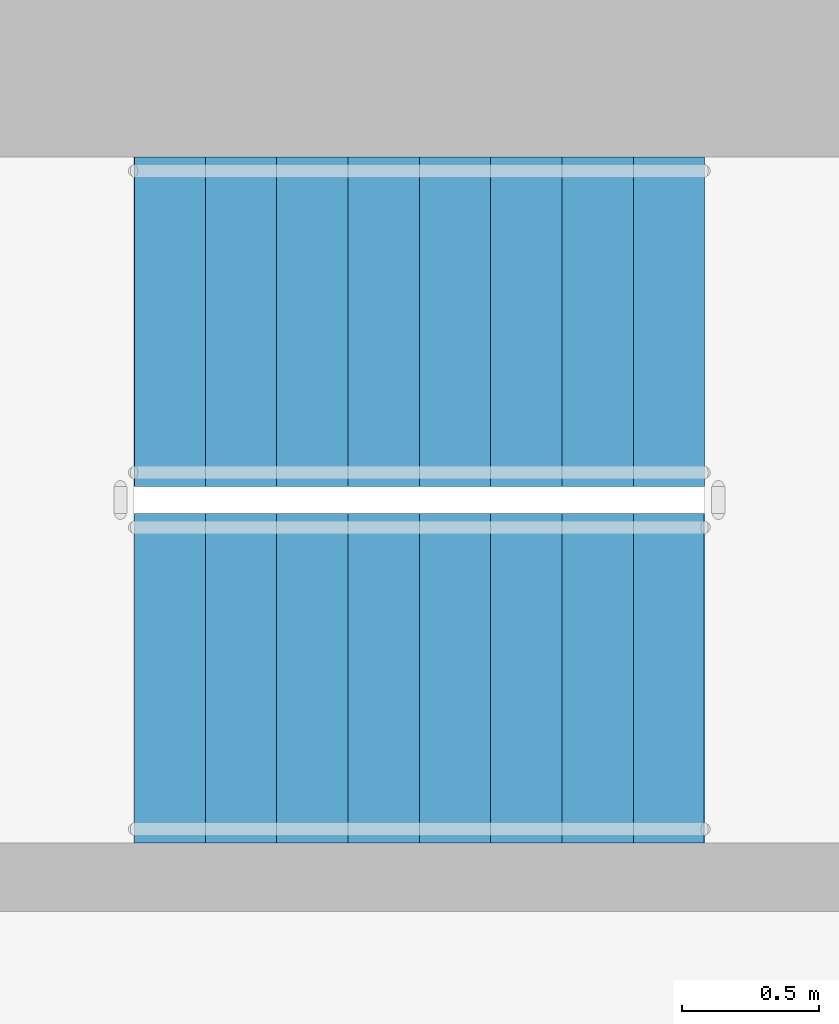
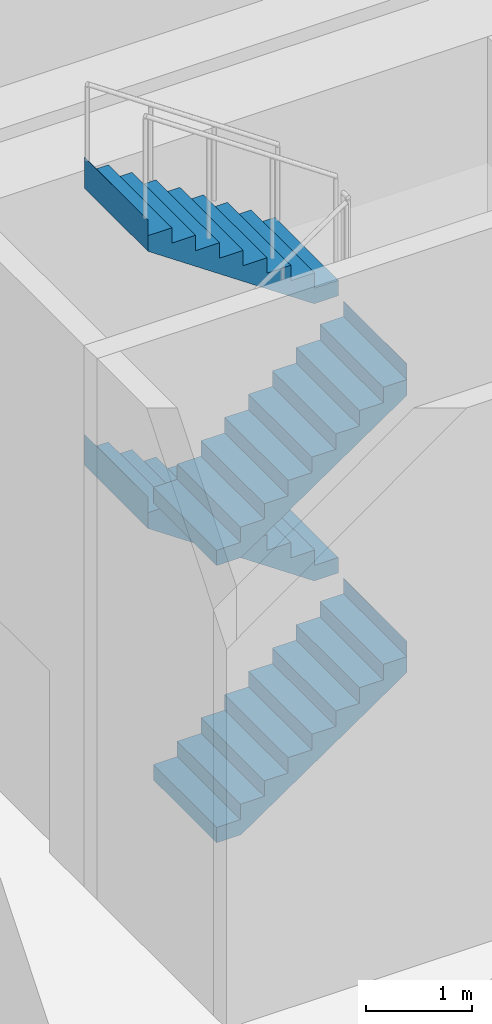
# One storey, part 13 of 27: 4 stair flights, 1 element without a shape of its own.
"""IFC4 building model written with IfcOpenShell, lengths in metres."""

from ifc_helpers import new_model, si_unit, direction, frame, origin, place, context, subcontext, project, spatial, triangles, material, type_object, element, aggregate, save


model = new_model("IFC4")

# Units and contexts
model_context = context("Model", 3, precision=1e-05, world=origin(), true_north=direction((0.0, 1.0)))
body_context = subcontext(model_context, "Body", "Model", "MODEL_VIEW")
ifc_project = project(units=[si_unit("LENGTHUNIT", "METRE"), si_unit("AREAUNIT", "SQUARE_METRE"), si_unit("VOLUMEUNIT", "CUBIC_METRE"), si_unit("PLANEANGLEUNIT", "RADIAN"), si_unit("MASSUNIT", "GRAM", prefix="KILO")], contexts=[model_context])

# Site, building, storey
site_placement = place(None, origin())
site = spatial("IfcSite", under=ifc_project, at=site_placement, CompositionType="ELEMENT")
building_placement = place(site_placement, origin())
building = spatial("IfcBuilding", under=site, at=building_placement, Name="Sahrelin Media Tower", CompositionType="ELEMENT")
storey_placement = place(building_placement, frame((0.0, 0.0, 44.0)))
storey = spatial("IfcBuildingStorey", under=building, at=storey_placement, Name="L06", CompositionType="ELEMENT", Elevation=44.0)

# Stair, stair flights
ifc_material = material(Name="Concrete C40/50", Category="concrete")
stair_type = type_object("IfcStairType", Name="Exit stair 1200", PredefinedType="HALF_TURN_STAIR", material=ifc_material)
stair_placement = place(storey_placement, origin())
stair = element("IfcStair", 1, at=stair_placement, inside=storey, type_object=stair_type, Name="L06 Exit stair ST1", PredefinedType="HALF_TURN_STAIR")
stair_flight_type = type_object("IfcStairFlightType", Name="Stair flight 1200", PredefinedType="STRAIGHT", material=ifc_material)
stair_flight_1_placement = place(storey_placement, frame((-7.675048828125, 4.699951171875, 0.0), z_axis=(0.0, 0.0, 1.0), x_axis=(1.0, 0.0, 0.0)))
stair_flight_1 = element("IfcStairFlight", 2, at=stair_flight_1_placement, type_object=stair_flight_type, Name="ST1 flight 1", NumberOfRisers=9, NumberOfTreads=8, PredefinedType="STRAIGHT", RiserHeight=0.177777778, TreadLength=0.26, context=body_context, shape_type="Tessellation", body=[
    triangles([(0.265625, 0.60009765625, 0.0), (0.265625, 0.300048828125, 0.0), (0.265625, 0.0, 0.0), (0.265625, -0.300048828125, 0.0), (0.265625, -0.60009765625, 0.0), (2.080078125, 0.60009765625, 1.24072265625), (2.080078125, 0.300048828125, 1.24072265625), (2.080078125, 0.0, 1.24072265625), (2.080078125, -0.300048828125, 1.24072265625), (2.080078125, -0.60009765625, 1.24072265625), (2.080078125, 0.60009765625, 1.60009765625), (2.080078125, 0.300048828125, 1.60009765625), (2.080078125, 0.0, 1.60009765625), (2.080078125, -0.300048828125, 1.60009765625), (2.080078125, -0.60009765625, 1.60009765625), (2.077880859375, 0.60009765625, 1.60009765625), (2.077880859375, 0.300048828125, 1.60009765625), (2.077880859375, 0.0, 1.60009765625), (2.077880859375, -0.300048828125, 1.60009765625), (2.077880859375, -0.60009765625, 1.60009765625), (2.077880859375, 0.60009765625, 1.422119140625), (2.077880859375, 0.300048828125, 1.422119140625), (2.077880859375, 0.0, 1.422119140625), (2.077880859375, -0.300048828125, 1.422119140625), (2.077880859375, -0.60009765625, 1.422119140625), (1.820068359375, 0.60009765625, 1.422119140625), (1.820068359375, 0.300048828125, 1.422119140625), (1.820068359375, 0.0, 1.422119140625), (1.820068359375, -0.300048828125, 1.422119140625), (1.820068359375, -0.60009765625, 1.422119140625), (1.820068359375, 0.60009765625, 1.244384765625), (1.820068359375, 0.300048828125, 1.244384765625), (1.820068359375, 0.0, 1.244384765625), (1.820068359375, -0.300048828125, 1.244384765625), (1.820068359375, -0.60009765625, 1.244384765625), (1.56005859375, 0.60009765625, 1.244384765625), (1.56005859375, 0.300048828125, 1.244384765625), (1.56005859375, 0.0, 1.244384765625), (1.56005859375, -0.300048828125, 1.244384765625), (1.56005859375, -0.60009765625, 1.244384765625), (1.56005859375, 0.60009765625, 1.066650390625), (1.56005859375, 0.300048828125, 1.066650390625), (1.56005859375, 0.0, 1.066650390625), (1.56005859375, -0.300048828125, 1.066650390625), (1.56005859375, -0.60009765625, 1.066650390625), (1.300048828125, 0.60009765625, 1.066650390625), (1.300048828125, 0.300048828125, 1.066650390625), (1.300048828125, 0.0, 1.066650390625), (1.300048828125, -0.300048828125, 1.066650390625), (1.300048828125, -0.60009765625, 1.066650390625), (1.300048828125, 0.60009765625, 0.888916015625), (1.300048828125, 0.300048828125, 0.888916015625), (1.300048828125, 0.0, 0.888916015625), (1.300048828125, -0.300048828125, 0.888916015625), (1.300048828125, -0.60009765625, 0.888916015625), (1.0400390625, 0.60009765625, 0.888916015625), (1.0400390625, 0.300048828125, 0.888916015625), (1.0400390625, 0.0, 0.888916015625), (1.0400390625, -0.300048828125, 0.888916015625), (1.0400390625, -0.60009765625, 0.888916015625), (1.0400390625, 0.60009765625, 0.711181640625), (1.0400390625, 0.300048828125, 0.711181640625), (1.0400390625, 0.0, 0.711181640625), (1.0400390625, -0.300048828125, 0.711181640625), (1.0400390625, -0.60009765625, 0.711181640625), (0.780029296875, 0.60009765625, 0.711181640625), (0.780029296875, 0.300048828125, 0.711181640625), (0.780029296875, 0.0, 0.711181640625), (0.780029296875, -0.300048828125, 0.711181640625), (0.780029296875, -0.60009765625, 0.711181640625), (0.780029296875, 0.60009765625, 0.533447265625), (0.780029296875, 0.300048828125, 0.533447265625), (0.780029296875, 0.0, 0.533447265625), (0.780029296875, -0.300048828125, 0.533447265625), (0.780029296875, -0.60009765625, 0.533447265625), (0.52001953125, 0.60009765625, 0.533447265625), (0.52001953125, 0.300048828125, 0.533447265625), (0.52001953125, 0.0, 0.533447265625), (0.52001953125, -0.300048828125, 0.533447265625), (0.52001953125, -0.60009765625, 0.533447265625), (0.52001953125, 0.60009765625, 0.35546875), (0.52001953125, 0.300048828125, 0.35546875), (0.52001953125, 0.0, 0.35546875), (0.52001953125, -0.300048828125, 0.35546875), (0.52001953125, -0.60009765625, 0.35546875), (0.260009765625, 0.60009765625, 0.35546875), (0.260009765625, 0.300048828125, 0.35546875), (0.260009765625, 0.0, 0.35546875), (0.260009765625, -0.300048828125, 0.35546875), (0.260009765625, -0.60009765625, 0.35546875), (0.260009765625, 0.60009765625, 0.177734375), (0.260009765625, 0.300048828125, 0.177734375), (0.260009765625, 0.0, 0.177734375), (0.260009765625, -0.300048828125, 0.177734375), (0.260009765625, -0.60009765625, 0.177734375), (0.0, 0.60009765625, 0.177734375), (0.0, 0.300048828125, 0.177734375), (0.0, 0.0, 0.177734375), (0.0, -0.300048828125, 0.177734375), (0.0, -0.60009765625, 0.177734375), (0.0, 0.60009765625, 0.0), (0.0, 0.300048828125, 0.0), (0.0, 0.0, 0.0), (0.0, -0.300048828125, 0.0), (0.0, -0.60009765625, 0.0)], [[1, 6, 7], [1, 7, 2], [2, 7, 8], [2, 8, 3], [3, 8, 9], [3, 9, 4], [4, 9, 10], [4, 10, 5], [6, 11, 12], [6, 12, 7], [7, 12, 13], [7, 13, 8], [8, 13, 14], [8, 14, 9], [9, 14, 15], [9, 15, 10], [11, 16, 17], [11, 17, 12], [12, 17, 18], [12, 18, 13], [13, 18, 19], [13, 19, 14], [14, 19, 20], [14, 20, 15], [16, 21, 22], [16, 22, 17], [17, 22, 23], [17, 23, 18], [18, 23, 24], [18, 24, 19], [19, 24, 25], [19, 25, 20], [21, 26, 27], [21, 27, 22], [22, 27, 28], [22, 28, 23], [23, 28, 29], [23, 29, 24], [24, 29, 30], [24, 30, 25], [26, 31, 32], [26, 32, 27], [27, 32, 33], [27, 33, 28], [28, 33, 34], [28, 34, 29], [29, 34, 35], [29, 35, 30], [31, 36, 37], [31, 37, 32], [32, 37, 38], [32, 38, 33], [33, 38, 39], [33, 39, 34], [34, 39, 40], [34, 40, 35], [36, 41, 42], [36, 42, 37], [37, 42, 43], [37, 43, 38], [38, 43, 44], [38, 44, 39], [39, 44, 45], [39, 45, 40], [41, 46, 47], [41, 47, 42], [42, 47, 48], [42, 48, 43], [43, 48, 49], [43, 49, 44], [44, 49, 50], [44, 50, 45], [46, 51, 52], [46, 52, 47], [47, 52, 53], [47, 53, 48], [48, 53, 54], [48, 54, 49], [49, 54, 55], [49, 55, 50], [51, 56, 57], [51, 57, 52], [52, 57, 58], [52, 58, 53], [53, 58, 59], [53, 59, 54], [54, 59, 60], [54, 60, 55], [56, 61, 62], [56, 62, 57], [57, 62, 63], [57, 63, 58], [58, 63, 64], [58, 64, 59], [59, 64, 65], [59, 65, 60], [61, 66, 67], [61, 67, 62], [62, 67, 68], [62, 68, 63], [63, 68, 69], [63, 69, 64], [64, 69, 70], [64, 70, 65], [66, 71, 72], [66, 72, 67], [67, 72, 73], [67, 73, 68], [68, 73, 74], [68, 74, 69], [69, 74, 75], [69, 75, 70], [71, 76, 77], [71, 77, 72], [72, 77, 78], [72, 78, 73], [73, 78, 79], [73, 79, 74], [74, 79, 80], [74, 80, 75], [76, 81, 82], [76, 82, 77], [77, 82, 83], [77, 83, 78], [78, 83, 84], [78, 84, 79], [79, 84, 85], [79, 85, 80], [81, 86, 87], [81, 87, 82], [82, 87, 88], [82, 88, 83], [83, 88, 89], [83, 89, 84], [84, 89, 90], [84, 90, 85], [86, 91, 92], [86, 92, 87], [87, 92, 93], [87, 93, 88], [88, 93, 94], [88, 94, 89], [89, 94, 95], [89, 95, 90], [91, 96, 97], [91, 97, 92], [92, 97, 98], [92, 98, 93], [93, 98, 99], [93, 99, 94], [94, 99, 100], [94, 100, 95], [96, 101, 102], [96, 102, 97], [97, 102, 103], [97, 103, 98], [98, 103, 104], [98, 104, 99], [99, 104, 105], [99, 105, 100], [101, 1, 2], [101, 2, 102], [102, 2, 3], [102, 3, 103], [103, 3, 4], [103, 4, 104], [104, 4, 5], [104, 5, 105], [95, 100, 105], [91, 101, 96], [95, 85, 90], [91, 86, 81], [85, 75, 80], [81, 76, 71], [75, 65, 70], [71, 66, 61], [65, 55, 60], [61, 56, 51], [55, 45, 50], [51, 46, 41], [45, 35, 40], [41, 36, 31], [35, 25, 30], [31, 26, 21], [25, 15, 20], [21, 16, 11], [105, 5, 95], [101, 91, 1], [65, 75, 5], [61, 1, 71], [10, 45, 55], [6, 51, 41], [25, 10, 15], [21, 11, 6], [85, 95, 5], [81, 1, 91], [55, 65, 10], [51, 6, 61], [35, 10, 25], [31, 21, 6], [75, 85, 5], [71, 1, 81], [45, 10, 35], [41, 31, 6], [5, 10, 65], [1, 61, 6]], closed=True),
])
stair_flight_2_placement = place(storey_placement, frame((-5.594970703125, 6.0, 1.60009765625), z_axis=(0.0, 0.0, 1.0), x_axis=(-1.0, 0.0, 0.0)))
stair_flight_2 = element("IfcStairFlight", 3, at=stair_flight_2_placement, type_object=stair_flight_type, Name="ST1 flight 2", NumberOfRisers=9, NumberOfTreads=8, PredefinedType="STRAIGHT", RiserHeight=0.177777778, TreadLength=0.26, context=body_context, shape_type="Tessellation", body=[
    triangles([(0.265625, 0.60009765625, 0.0), (0.265625, 0.300048828125, 0.0), (0.265625, 0.0, 0.0), (0.265625, -0.300048828125, 0.0), (0.265625, -0.60009765625, 0.0), (2.080078125, 0.60009765625, 1.24072265625), (2.080078125, 0.300048828125, 1.24072265625), (2.080078125, 0.0, 1.24072265625), (2.080078125, -0.300048828125, 1.24072265625), (2.080078125, -0.60009765625, 1.24072265625), (2.080078125, 0.60009765625, 1.60009765625), (2.080078125, 0.300048828125, 1.60009765625), (2.080078125, 0.0, 1.60009765625), (2.080078125, -0.300048828125, 1.60009765625), (2.080078125, -0.60009765625, 1.60009765625), (2.077880859375, 0.60009765625, 1.60009765625), (2.077880859375, 0.300048828125, 1.60009765625), (2.077880859375, 0.0, 1.60009765625), (2.077880859375, -0.300048828125, 1.60009765625), (2.077880859375, -0.60009765625, 1.60009765625), (2.077880859375, 0.60009765625, 1.422119140625), (2.077880859375, 0.300048828125, 1.422119140625), (2.077880859375, 0.0, 1.422119140625), (2.077880859375, -0.300048828125, 1.422119140625), (2.077880859375, -0.60009765625, 1.422119140625), (1.820068359375, 0.60009765625, 1.422119140625), (1.820068359375, 0.300048828125, 1.422119140625), (1.820068359375, 0.0, 1.422119140625), (1.820068359375, -0.300048828125, 1.422119140625), (1.820068359375, -0.60009765625, 1.422119140625), (1.820068359375, 0.60009765625, 1.244384765625), (1.820068359375, 0.300048828125, 1.244384765625), (1.820068359375, 0.0, 1.244384765625), (1.820068359375, -0.300048828125, 1.244384765625), (1.820068359375, -0.60009765625, 1.244384765625), (1.56005859375, 0.60009765625, 1.244384765625), (1.56005859375, 0.300048828125, 1.244384765625), (1.56005859375, 0.0, 1.244384765625), (1.56005859375, -0.300048828125, 1.244384765625), (1.56005859375, -0.60009765625, 1.244384765625), (1.56005859375, 0.60009765625, 1.066650390625), (1.56005859375, 0.300048828125, 1.066650390625), (1.56005859375, 0.0, 1.066650390625), (1.56005859375, -0.300048828125, 1.066650390625), (1.56005859375, -0.60009765625, 1.066650390625), (1.300048828125, 0.60009765625, 1.066650390625), (1.300048828125, 0.300048828125, 1.066650390625), (1.300048828125, 0.0, 1.066650390625), (1.300048828125, -0.300048828125, 1.066650390625), (1.300048828125, -0.60009765625, 1.066650390625), (1.300048828125, 0.60009765625, 0.888916015625), (1.300048828125, 0.300048828125, 0.888916015625), (1.300048828125, 0.0, 0.888916015625), (1.300048828125, -0.300048828125, 0.888916015625), (1.300048828125, -0.60009765625, 0.888916015625), (1.0400390625, 0.60009765625, 0.888916015625), (1.0400390625, 0.300048828125, 0.888916015625), (1.0400390625, 0.0, 0.888916015625), (1.0400390625, -0.300048828125, 0.888916015625), (1.0400390625, -0.60009765625, 0.888916015625), (1.0400390625, 0.60009765625, 0.711181640625), (1.0400390625, 0.300048828125, 0.711181640625), (1.0400390625, 0.0, 0.711181640625), (1.0400390625, -0.300048828125, 0.711181640625), (1.0400390625, -0.60009765625, 0.711181640625), (0.780029296875, 0.60009765625, 0.711181640625), (0.780029296875, 0.300048828125, 0.711181640625), (0.780029296875, 0.0, 0.711181640625), (0.780029296875, -0.300048828125, 0.711181640625), (0.780029296875, -0.60009765625, 0.711181640625), (0.780029296875, 0.60009765625, 0.533447265625), (0.780029296875, 0.300048828125, 0.533447265625), (0.780029296875, 0.0, 0.533447265625), (0.780029296875, -0.300048828125, 0.533447265625), (0.780029296875, -0.60009765625, 0.533447265625), (0.52001953125, 0.60009765625, 0.533447265625), (0.52001953125, 0.300048828125, 0.533447265625), (0.52001953125, 0.0, 0.533447265625), (0.52001953125, -0.300048828125, 0.533447265625), (0.52001953125, -0.60009765625, 0.533447265625), (0.52001953125, 0.60009765625, 0.35546875), (0.52001953125, 0.300048828125, 0.35546875), (0.52001953125, 0.0, 0.35546875), (0.52001953125, -0.300048828125, 0.35546875), (0.52001953125, -0.60009765625, 0.35546875), (0.260009765625, 0.60009765625, 0.35546875), (0.260009765625, 0.300048828125, 0.35546875), (0.260009765625, 0.0, 0.35546875), (0.260009765625, -0.300048828125, 0.35546875), (0.260009765625, -0.60009765625, 0.35546875), (0.260009765625, 0.60009765625, 0.177734375), (0.260009765625, 0.300048828125, 0.177734375), (0.260009765625, 0.0, 0.177734375), (0.260009765625, -0.300048828125, 0.177734375), (0.260009765625, -0.60009765625, 0.177734375), (0.0, 0.60009765625, 0.177734375), (0.0, 0.300048828125, 0.177734375), (0.0, 0.0, 0.177734375), (0.0, -0.300048828125, 0.177734375), (0.0, -0.60009765625, 0.177734375), (0.0, 0.60009765625, 0.0), (0.0, 0.300048828125, 0.0), (0.0, 0.0, 0.0), (0.0, -0.300048828125, 0.0), (0.0, -0.60009765625, 0.0)], [[1, 6, 7], [1, 7, 2], [2, 7, 8], [2, 8, 3], [3, 8, 9], [3, 9, 4], [4, 9, 10], [4, 10, 5], [6, 11, 12], [6, 12, 7], [7, 12, 13], [7, 13, 8], [8, 13, 14], [8, 14, 9], [9, 14, 15], [9, 15, 10], [11, 16, 17], [11, 17, 12], [12, 17, 18], [12, 18, 13], [13, 18, 19], [13, 19, 14], [14, 19, 20], [14, 20, 15], [16, 21, 22], [16, 22, 17], [17, 22, 23], [17, 23, 18], [18, 23, 24], [18, 24, 19], [19, 24, 25], [19, 25, 20], [21, 26, 27], [21, 27, 22], [22, 27, 28], [22, 28, 23], [23, 28, 29], [23, 29, 24], [24, 29, 30], [24, 30, 25], [26, 31, 32], [26, 32, 27], [27, 32, 33], [27, 33, 28], [28, 33, 34], [28, 34, 29], [29, 34, 35], [29, 35, 30], [31, 36, 37], [31, 37, 32], [32, 37, 38], [32, 38, 33], [33, 38, 39], [33, 39, 34], [34, 39, 40], [34, 40, 35], [36, 41, 42], [36, 42, 37], [37, 42, 43], [37, 43, 38], [38, 43, 44], [38, 44, 39], [39, 44, 45], [39, 45, 40], [41, 46, 47], [41, 47, 42], [42, 47, 48], [42, 48, 43], [43, 48, 49], [43, 49, 44], [44, 49, 50], [44, 50, 45], [46, 51, 52], [46, 52, 47], [47, 52, 53], [47, 53, 48], [48, 53, 54], [48, 54, 49], [49, 54, 55], [49, 55, 50], [51, 56, 57], [51, 57, 52], [52, 57, 58], [52, 58, 53], [53, 58, 59], [53, 59, 54], [54, 59, 60], [54, 60, 55], [56, 61, 62], [56, 62, 57], [57, 62, 63], [57, 63, 58], [58, 63, 64], [58, 64, 59], [59, 64, 65], [59, 65, 60], [61, 66, 67], [61, 67, 62], [62, 67, 68], [62, 68, 63], [63, 68, 69], [63, 69, 64], [64, 69, 70], [64, 70, 65], [66, 71, 72], [66, 72, 67], [67, 72, 73], [67, 73, 68], [68, 73, 74], [68, 74, 69], [69, 74, 75], [69, 75, 70], [71, 76, 77], [71, 77, 72], [72, 77, 78], [72, 78, 73], [73, 78, 79], [73, 79, 74], [74, 79, 80], [74, 80, 75], [76, 81, 82], [76, 82, 77], [77, 82, 83], [77, 83, 78], [78, 83, 84], [78, 84, 79], [79, 84, 85], [79, 85, 80], [81, 86, 87], [81, 87, 82], [82, 87, 88], [82, 88, 83], [83, 88, 89], [83, 89, 84], [84, 89, 90], [84, 90, 85], [86, 91, 92], [86, 92, 87], [87, 92, 93], [87, 93, 88], [88, 93, 94], [88, 94, 89], [89, 94, 95], [89, 95, 90], [91, 96, 97], [91, 97, 92], [92, 97, 98], [92, 98, 93], [93, 98, 99], [93, 99, 94], [94, 99, 100], [94, 100, 95], [96, 101, 102], [96, 102, 97], [97, 102, 103], [97, 103, 98], [98, 103, 104], [98, 104, 99], [99, 104, 105], [99, 105, 100], [101, 1, 2], [101, 2, 102], [102, 2, 3], [102, 3, 103], [103, 3, 4], [103, 4, 104], [104, 4, 5], [104, 5, 105], [95, 100, 105], [91, 101, 96], [95, 85, 90], [91, 86, 81], [85, 75, 80], [81, 76, 71], [75, 65, 70], [71, 66, 61], [65, 55, 60], [61, 56, 51], [55, 45, 50], [51, 46, 41], [45, 35, 40], [41, 36, 31], [35, 25, 30], [31, 26, 21], [25, 15, 20], [21, 16, 11], [105, 5, 95], [101, 91, 1], [65, 75, 5], [61, 1, 71], [10, 45, 55], [6, 51, 41], [25, 10, 15], [21, 11, 6], [85, 95, 5], [81, 1, 91], [55, 65, 10], [51, 6, 61], [35, 10, 25], [31, 21, 6], [75, 85, 5], [71, 1, 81], [45, 10, 35], [41, 31, 6], [5, 10, 65], [1, 61, 6]], closed=True),
])
stair_flight_3_placement = place(storey_placement, frame((-7.675048828125, 4.699951171875, 3.199951171875), z_axis=(0.0, 0.0, 1.0), x_axis=(1.0, 0.0, 0.0)))
stair_flight_3 = element("IfcStairFlight", 4, at=stair_flight_3_placement, type_object=stair_flight_type, Name="ST1 flight 3", NumberOfRisers=9, NumberOfTreads=8, PredefinedType="STRAIGHT", RiserHeight=0.177777778, TreadLength=0.26, context=body_context, shape_type="Tessellation", body=[
    triangles([(0.265625, 0.60009765625, 0.0), (0.265625, 0.300048828125, 0.0), (0.265625, 0.0, 0.0), (0.265625, -0.300048828125, 0.0), (0.265625, -0.60009765625, 0.0), (2.080078125, 0.60009765625, 1.24072265625), (2.080078125, 0.300048828125, 1.24072265625), (2.080078125, 0.0, 1.24072265625), (2.080078125, -0.300048828125, 1.24072265625), (2.080078125, -0.60009765625, 1.24072265625), (2.080078125, 0.60009765625, 1.60009765625), (2.080078125, 0.300048828125, 1.60009765625), (2.080078125, 0.0, 1.60009765625), (2.080078125, -0.300048828125, 1.60009765625), (2.080078125, -0.60009765625, 1.60009765625), (2.077880859375, 0.60009765625, 1.60009765625), (2.077880859375, 0.300048828125, 1.60009765625), (2.077880859375, 0.0, 1.60009765625), (2.077880859375, -0.300048828125, 1.60009765625), (2.077880859375, -0.60009765625, 1.60009765625), (2.077880859375, 0.60009765625, 1.422119140625), (2.077880859375, 0.300048828125, 1.422119140625), (2.077880859375, 0.0, 1.422119140625), (2.077880859375, -0.300048828125, 1.422119140625), (2.077880859375, -0.60009765625, 1.422119140625), (1.820068359375, 0.60009765625, 1.422119140625), (1.820068359375, 0.300048828125, 1.422119140625), (1.820068359375, 0.0, 1.422119140625), (1.820068359375, -0.300048828125, 1.422119140625), (1.820068359375, -0.60009765625, 1.422119140625), (1.820068359375, 0.60009765625, 1.244384765625), (1.820068359375, 0.300048828125, 1.244384765625), (1.820068359375, 0.0, 1.244384765625), (1.820068359375, -0.300048828125, 1.244384765625), (1.820068359375, -0.60009765625, 1.244384765625), (1.56005859375, 0.60009765625, 1.244384765625), (1.56005859375, 0.300048828125, 1.244384765625), (1.56005859375, 0.0, 1.244384765625), (1.56005859375, -0.300048828125, 1.244384765625), (1.56005859375, -0.60009765625, 1.244384765625), (1.56005859375, 0.60009765625, 1.066650390625), (1.56005859375, 0.300048828125, 1.066650390625), (1.56005859375, 0.0, 1.066650390625), (1.56005859375, -0.300048828125, 1.066650390625), (1.56005859375, -0.60009765625, 1.066650390625), (1.300048828125, 0.60009765625, 1.066650390625), (1.300048828125, 0.300048828125, 1.066650390625), (1.300048828125, 0.0, 1.066650390625), (1.300048828125, -0.300048828125, 1.066650390625), (1.300048828125, -0.60009765625, 1.066650390625), (1.300048828125, 0.60009765625, 0.888916015625), (1.300048828125, 0.300048828125, 0.888916015625), (1.300048828125, 0.0, 0.888916015625), (1.300048828125, -0.300048828125, 0.888916015625), (1.300048828125, -0.60009765625, 0.888916015625), (1.0400390625, 0.60009765625, 0.888916015625), (1.0400390625, 0.300048828125, 0.888916015625), (1.0400390625, 0.0, 0.888916015625), (1.0400390625, -0.300048828125, 0.888916015625), (1.0400390625, -0.60009765625, 0.888916015625), (1.0400390625, 0.60009765625, 0.711181640625), (1.0400390625, 0.300048828125, 0.711181640625), (1.0400390625, 0.0, 0.711181640625), (1.0400390625, -0.300048828125, 0.711181640625), (1.0400390625, -0.60009765625, 0.711181640625), (0.780029296875, 0.60009765625, 0.711181640625), (0.780029296875, 0.300048828125, 0.711181640625), (0.780029296875, 0.0, 0.711181640625), (0.780029296875, -0.300048828125, 0.711181640625), (0.780029296875, -0.60009765625, 0.711181640625), (0.780029296875, 0.60009765625, 0.533447265625), (0.780029296875, 0.300048828125, 0.533447265625), (0.780029296875, 0.0, 0.533447265625), (0.780029296875, -0.300048828125, 0.533447265625), (0.780029296875, -0.60009765625, 0.533447265625), (0.52001953125, 0.60009765625, 0.533447265625), (0.52001953125, 0.300048828125, 0.533447265625), (0.52001953125, 0.0, 0.533447265625), (0.52001953125, -0.300048828125, 0.533447265625), (0.52001953125, -0.60009765625, 0.533447265625), (0.52001953125, 0.60009765625, 0.35546875), (0.52001953125, 0.300048828125, 0.35546875), (0.52001953125, 0.0, 0.35546875), (0.52001953125, -0.300048828125, 0.35546875), (0.52001953125, -0.60009765625, 0.35546875), (0.260009765625, 0.60009765625, 0.35546875), (0.260009765625, 0.300048828125, 0.35546875), (0.260009765625, 0.0, 0.35546875), (0.260009765625, -0.300048828125, 0.35546875), (0.260009765625, -0.60009765625, 0.35546875), (0.260009765625, 0.60009765625, 0.177734375), (0.260009765625, 0.300048828125, 0.177734375), (0.260009765625, 0.0, 0.177734375), (0.260009765625, -0.300048828125, 0.177734375), (0.260009765625, -0.60009765625, 0.177734375), (0.0, 0.60009765625, 0.177734375), (0.0, 0.300048828125, 0.177734375), (0.0, 0.0, 0.177734375), (0.0, -0.300048828125, 0.177734375), (0.0, -0.60009765625, 0.177734375), (0.0, 0.60009765625, 0.0), (0.0, 0.300048828125, 0.0), (0.0, 0.0, 0.0), (0.0, -0.300048828125, 0.0), (0.0, -0.60009765625, 0.0)], [[1, 6, 7], [1, 7, 2], [2, 7, 8], [2, 8, 3], [3, 8, 9], [3, 9, 4], [4, 9, 10], [4, 10, 5], [6, 11, 12], [6, 12, 7], [7, 12, 13], [7, 13, 8], [8, 13, 14], [8, 14, 9], [9, 14, 15], [9, 15, 10], [11, 16, 17], [11, 17, 12], [12, 17, 18], [12, 18, 13], [13, 18, 19], [13, 19, 14], [14, 19, 20], [14, 20, 15], [16, 21, 22], [16, 22, 17], [17, 22, 23], [17, 23, 18], [18, 23, 24], [18, 24, 19], [19, 24, 25], [19, 25, 20], [21, 26, 27], [21, 27, 22], [22, 27, 28], [22, 28, 23], [23, 28, 29], [23, 29, 24], [24, 29, 30], [24, 30, 25], [26, 31, 32], [26, 32, 27], [27, 32, 33], [27, 33, 28], [28, 33, 34], [28, 34, 29], [29, 34, 35], [29, 35, 30], [31, 36, 37], [31, 37, 32], [32, 37, 38], [32, 38, 33], [33, 38, 39], [33, 39, 34], [34, 39, 40], [34, 40, 35], [36, 41, 42], [36, 42, 37], [37, 42, 43], [37, 43, 38], [38, 43, 44], [38, 44, 39], [39, 44, 45], [39, 45, 40], [41, 46, 47], [41, 47, 42], [42, 47, 48], [42, 48, 43], [43, 48, 49], [43, 49, 44], [44, 49, 50], [44, 50, 45], [46, 51, 52], [46, 52, 47], [47, 52, 53], [47, 53, 48], [48, 53, 54], [48, 54, 49], [49, 54, 55], [49, 55, 50], [51, 56, 57], [51, 57, 52], [52, 57, 58], [52, 58, 53], [53, 58, 59], [53, 59, 54], [54, 59, 60], [54, 60, 55], [56, 61, 62], [56, 62, 57], [57, 62, 63], [57, 63, 58], [58, 63, 64], [58, 64, 59], [59, 64, 65], [59, 65, 60], [61, 66, 67], [61, 67, 62], [62, 67, 68], [62, 68, 63], [63, 68, 69], [63, 69, 64], [64, 69, 70], [64, 70, 65], [66, 71, 72], [66, 72, 67], [67, 72, 73], [67, 73, 68], [68, 73, 74], [68, 74, 69], [69, 74, 75], [69, 75, 70], [71, 76, 77], [71, 77, 72], [72, 77, 78], [72, 78, 73], [73, 78, 79], [73, 79, 74], [74, 79, 80], [74, 80, 75], [76, 81, 82], [76, 82, 77], [77, 82, 83], [77, 83, 78], [78, 83, 84], [78, 84, 79], [79, 84, 85], [79, 85, 80], [81, 86, 87], [81, 87, 82], [82, 87, 88], [82, 88, 83], [83, 88, 89], [83, 89, 84], [84, 89, 90], [84, 90, 85], [86, 91, 92], [86, 92, 87], [87, 92, 93], [87, 93, 88], [88, 93, 94], [88, 94, 89], [89, 94, 95], [89, 95, 90], [91, 96, 97], [91, 97, 92], [92, 97, 98], [92, 98, 93], [93, 98, 99], [93, 99, 94], [94, 99, 100], [94, 100, 95], [96, 101, 102], [96, 102, 97], [97, 102, 103], [97, 103, 98], [98, 103, 104], [98, 104, 99], [99, 104, 105], [99, 105, 100], [101, 1, 2], [101, 2, 102], [102, 2, 3], [102, 3, 103], [103, 3, 4], [103, 4, 104], [104, 4, 5], [104, 5, 105], [95, 100, 105], [91, 101, 96], [95, 85, 90], [91, 86, 81], [85, 75, 80], [81, 76, 71], [75, 65, 70], [71, 66, 61], [65, 55, 60], [61, 56, 51], [55, 45, 50], [51, 46, 41], [45, 35, 40], [41, 36, 31], [35, 25, 30], [31, 26, 21], [25, 15, 20], [21, 16, 11], [105, 5, 95], [101, 91, 1], [65, 75, 5], [61, 1, 71], [10, 45, 55], [6, 51, 41], [25, 10, 15], [21, 11, 6], [85, 95, 5], [81, 1, 91], [55, 65, 10], [51, 6, 61], [35, 10, 25], [31, 21, 6], [75, 85, 5], [71, 1, 81], [45, 10, 35], [41, 31, 6], [5, 10, 65], [1, 61, 6]], closed=True),
])
stair_flight_4_placement = place(storey_placement, frame((-5.594970703125, 6.0, 4.800048828125), z_axis=(0.0, 0.0, 1.0), x_axis=(-1.0, 0.0, 0.0)))
stair_flight_4 = element("IfcStairFlight", 5, at=stair_flight_4_placement, type_object=stair_flight_type, Name="ST1 flight 4", NumberOfRisers=9, NumberOfTreads=8, PredefinedType="STRAIGHT", RiserHeight=0.177777778, TreadLength=0.26, context=body_context, shape_type="Tessellation", body=[
    triangles([(0.265625, 0.60009765625, 0.0), (0.265625, 0.300048828125, 0.0), (0.265625, 0.0, 0.0), (0.265625, -0.300048828125, 0.0), (0.265625, -0.60009765625, 0.0), (2.080078125, 0.60009765625, 1.24072265625), (2.080078125, 0.300048828125, 1.24072265625), (2.080078125, 0.0, 1.24072265625), (2.080078125, -0.300048828125, 1.24072265625), (2.080078125, -0.60009765625, 1.24072265625), (2.080078125, 0.60009765625, 1.60009765625), (2.080078125, 0.300048828125, 1.60009765625), (2.080078125, 0.0, 1.60009765625), (2.080078125, -0.300048828125, 1.60009765625), (2.080078125, -0.60009765625, 1.60009765625), (2.077880859375, 0.60009765625, 1.60009765625), (2.077880859375, 0.300048828125, 1.60009765625), (2.077880859375, 0.0, 1.60009765625), (2.077880859375, -0.300048828125, 1.60009765625), (2.077880859375, -0.60009765625, 1.60009765625), (2.077880859375, 0.60009765625, 1.422119140625), (2.077880859375, 0.300048828125, 1.422119140625), (2.077880859375, 0.0, 1.422119140625), (2.077880859375, -0.300048828125, 1.422119140625), (2.077880859375, -0.60009765625, 1.422119140625), (1.820068359375, 0.60009765625, 1.422119140625), (1.820068359375, 0.300048828125, 1.422119140625), (1.820068359375, 0.0, 1.422119140625), (1.820068359375, -0.300048828125, 1.422119140625), (1.820068359375, -0.60009765625, 1.422119140625), (1.820068359375, 0.60009765625, 1.244384765625), (1.820068359375, 0.300048828125, 1.244384765625), (1.820068359375, 0.0, 1.244384765625), (1.820068359375, -0.300048828125, 1.244384765625), (1.820068359375, -0.60009765625, 1.244384765625), (1.56005859375, 0.60009765625, 1.244384765625), (1.56005859375, 0.300048828125, 1.244384765625), (1.56005859375, 0.0, 1.244384765625), (1.56005859375, -0.300048828125, 1.244384765625), (1.56005859375, -0.60009765625, 1.244384765625), (1.56005859375, 0.60009765625, 1.066650390625), (1.56005859375, 0.300048828125, 1.066650390625), (1.56005859375, 0.0, 1.066650390625), (1.56005859375, -0.300048828125, 1.066650390625), (1.56005859375, -0.60009765625, 1.066650390625), (1.300048828125, 0.60009765625, 1.066650390625), (1.300048828125, 0.300048828125, 1.066650390625), (1.300048828125, 0.0, 1.066650390625), (1.300048828125, -0.300048828125, 1.066650390625), (1.300048828125, -0.60009765625, 1.066650390625), (1.300048828125, 0.60009765625, 0.888916015625), (1.300048828125, 0.300048828125, 0.888916015625), (1.300048828125, 0.0, 0.888916015625), (1.300048828125, -0.300048828125, 0.888916015625), (1.300048828125, -0.60009765625, 0.888916015625), (1.0400390625, 0.60009765625, 0.888916015625), (1.0400390625, 0.300048828125, 0.888916015625), (1.0400390625, 0.0, 0.888916015625), (1.0400390625, -0.300048828125, 0.888916015625), (1.0400390625, -0.60009765625, 0.888916015625), (1.0400390625, 0.60009765625, 0.711181640625), (1.0400390625, 0.300048828125, 0.711181640625), (1.0400390625, 0.0, 0.711181640625), (1.0400390625, -0.300048828125, 0.711181640625), (1.0400390625, -0.60009765625, 0.711181640625), (0.780029296875, 0.60009765625, 0.711181640625), (0.780029296875, 0.300048828125, 0.711181640625), (0.780029296875, 0.0, 0.711181640625), (0.780029296875, -0.300048828125, 0.711181640625), (0.780029296875, -0.60009765625, 0.711181640625), (0.780029296875, 0.60009765625, 0.533447265625), (0.780029296875, 0.300048828125, 0.533447265625), (0.780029296875, 0.0, 0.533447265625), (0.780029296875, -0.300048828125, 0.533447265625), (0.780029296875, -0.60009765625, 0.533447265625), (0.52001953125, 0.60009765625, 0.533447265625), (0.52001953125, 0.300048828125, 0.533447265625), (0.52001953125, 0.0, 0.533447265625), (0.52001953125, -0.300048828125, 0.533447265625), (0.52001953125, -0.60009765625, 0.533447265625), (0.52001953125, 0.60009765625, 0.35546875), (0.52001953125, 0.300048828125, 0.35546875), (0.52001953125, 0.0, 0.35546875), (0.52001953125, -0.300048828125, 0.35546875), (0.52001953125, -0.60009765625, 0.35546875), (0.260009765625, 0.60009765625, 0.35546875), (0.260009765625, 0.300048828125, 0.35546875), (0.260009765625, 0.0, 0.35546875), (0.260009765625, -0.300048828125, 0.35546875), (0.260009765625, -0.60009765625, 0.35546875), (0.260009765625, 0.60009765625, 0.177734375), (0.260009765625, 0.300048828125, 0.177734375), (0.260009765625, 0.0, 0.177734375), (0.260009765625, -0.300048828125, 0.177734375), (0.260009765625, -0.60009765625, 0.177734375), (0.0, 0.60009765625, 0.177734375), (0.0, 0.300048828125, 0.177734375), (0.0, 0.0, 0.177734375), (0.0, -0.300048828125, 0.177734375), (0.0, -0.60009765625, 0.177734375), (0.0, 0.60009765625, 0.0), (0.0, 0.300048828125, 0.0), (0.0, 0.0, 0.0), (0.0, -0.300048828125, 0.0), (0.0, -0.60009765625, 0.0)], [[1, 6, 7], [1, 7, 2], [2, 7, 8], [2, 8, 3], [3, 8, 9], [3, 9, 4], [4, 9, 10], [4, 10, 5], [6, 11, 12], [6, 12, 7], [7, 12, 13], [7, 13, 8], [8, 13, 14], [8, 14, 9], [9, 14, 15], [9, 15, 10], [11, 16, 17], [11, 17, 12], [12, 17, 18], [12, 18, 13], [13, 18, 19], [13, 19, 14], [14, 19, 20], [14, 20, 15], [16, 21, 22], [16, 22, 17], [17, 22, 23], [17, 23, 18], [18, 23, 24], [18, 24, 19], [19, 24, 25], [19, 25, 20], [21, 26, 27], [21, 27, 22], [22, 27, 28], [22, 28, 23], [23, 28, 29], [23, 29, 24], [24, 29, 30], [24, 30, 25], [26, 31, 32], [26, 32, 27], [27, 32, 33], [27, 33, 28], [28, 33, 34], [28, 34, 29], [29, 34, 35], [29, 35, 30], [31, 36, 37], [31, 37, 32], [32, 37, 38], [32, 38, 33], [33, 38, 39], [33, 39, 34], [34, 39, 40], [34, 40, 35], [36, 41, 42], [36, 42, 37], [37, 42, 43], [37, 43, 38], [38, 43, 44], [38, 44, 39], [39, 44, 45], [39, 45, 40], [41, 46, 47], [41, 47, 42], [42, 47, 48], [42, 48, 43], [43, 48, 49], [43, 49, 44], [44, 49, 50], [44, 50, 45], [46, 51, 52], [46, 52, 47], [47, 52, 53], [47, 53, 48], [48, 53, 54], [48, 54, 49], [49, 54, 55], [49, 55, 50], [51, 56, 57], [51, 57, 52], [52, 57, 58], [52, 58, 53], [53, 58, 59], [53, 59, 54], [54, 59, 60], [54, 60, 55], [56, 61, 62], [56, 62, 57], [57, 62, 63], [57, 63, 58], [58, 63, 64], [58, 64, 59], [59, 64, 65], [59, 65, 60], [61, 66, 67], [61, 67, 62], [62, 67, 68], [62, 68, 63], [63, 68, 69], [63, 69, 64], [64, 69, 70], [64, 70, 65], [66, 71, 72], [66, 72, 67], [67, 72, 73], [67, 73, 68], [68, 73, 74], [68, 74, 69], [69, 74, 75], [69, 75, 70], [71, 76, 77], [71, 77, 72], [72, 77, 78], [72, 78, 73], [73, 78, 79], [73, 79, 74], [74, 79, 80], [74, 80, 75], [76, 81, 82], [76, 82, 77], [77, 82, 83], [77, 83, 78], [78, 83, 84], [78, 84, 79], [79, 84, 85], [79, 85, 80], [81, 86, 87], [81, 87, 82], [82, 87, 88], [82, 88, 83], [83, 88, 89], [83, 89, 84], [84, 89, 90], [84, 90, 85], [86, 91, 92], [86, 92, 87], [87, 92, 93], [87, 93, 88], [88, 93, 94], [88, 94, 89], [89, 94, 95], [89, 95, 90], [91, 96, 97], [91, 97, 92], [92, 97, 98], [92, 98, 93], [93, 98, 99], [93, 99, 94], [94, 99, 100], [94, 100, 95], [96, 101, 102], [96, 102, 97], [97, 102, 103], [97, 103, 98], [98, 103, 104], [98, 104, 99], [99, 104, 105], [99, 105, 100], [101, 1, 2], [101, 2, 102], [102, 2, 3], [102, 3, 103], [103, 3, 4], [103, 4, 104], [104, 4, 5], [104, 5, 105], [95, 100, 105], [91, 101, 96], [95, 85, 90], [91, 86, 81], [85, 75, 80], [81, 76, 71], [75, 65, 70], [71, 66, 61], [65, 55, 60], [61, 56, 51], [55, 45, 50], [51, 46, 41], [45, 35, 40], [41, 36, 31], [35, 25, 30], [31, 26, 21], [25, 15, 20], [21, 16, 11], [105, 5, 95], [101, 91, 1], [65, 75, 5], [61, 1, 71], [10, 45, 55], [6, 51, 41], [25, 10, 15], [21, 11, 6], [85, 95, 5], [81, 1, 91], [55, 65, 10], [51, 6, 61], [35, 10, 25], [31, 21, 6], [75, 85, 5], [71, 1, 81], [45, 10, 35], [41, 31, 6], [5, 10, 65], [1, 61, 6]], closed=True),
])
aggregate(stair, [stair_flight_1, stair_flight_2, stair_flight_3, stair_flight_4])

save(model, "model.ifc")
